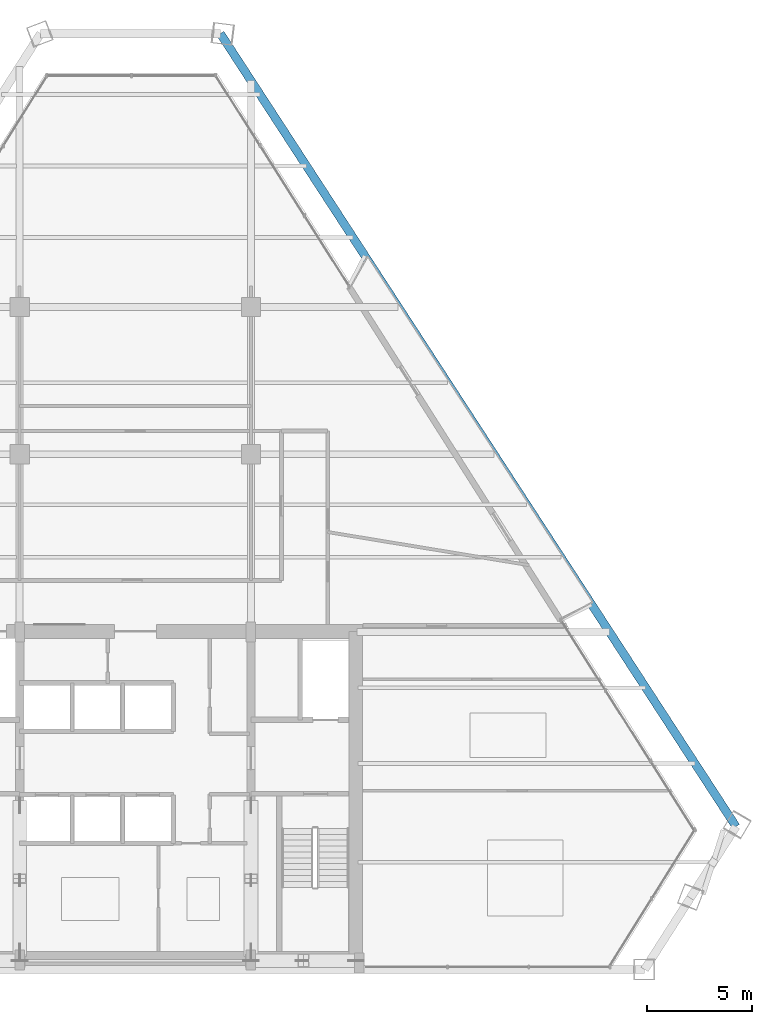
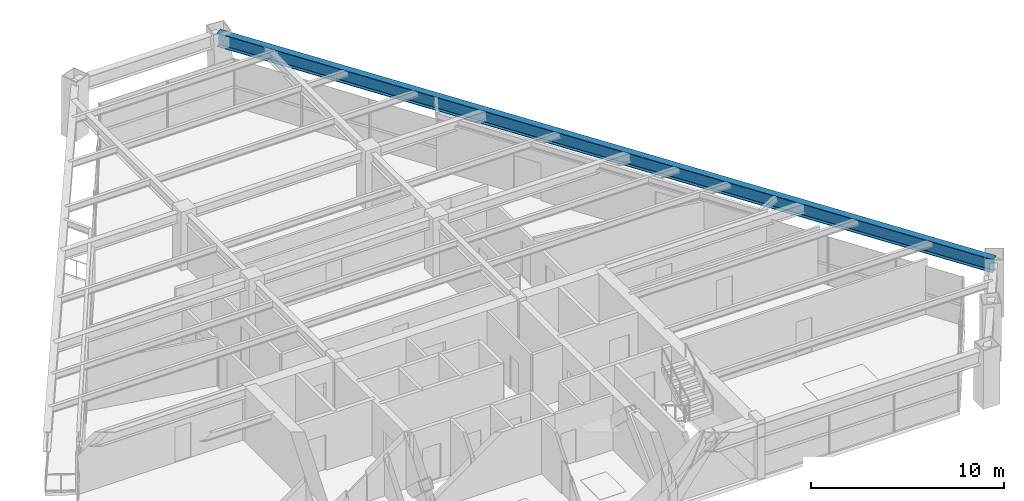
# One storey, part 7 of 15: 1 beam.
"""IFC4 building model written with IfcOpenShell, lengths in metres."""

from ifc_helpers import new_model, si_unit, direction, frame, origin, origin_2d, place, context, subcontext, project, spatial, i_section, extrude, source, transform, mapped, material, material_profile, profile_set, type_object, element, save


model = new_model("IFC4")

# Units and contexts
model_context = context("Model", 3, precision=1e-05, world=origin(), true_north=direction((0.0, 1.0)))
body_context = subcontext(model_context, "Body", "Model", "MODEL_VIEW")
ifc_project = project(units=[si_unit("LENGTHUNIT", "METRE"), si_unit("AREAUNIT", "SQUARE_METRE"), si_unit("VOLUMEUNIT", "CUBIC_METRE"), si_unit("PLANEANGLEUNIT", "RADIAN"), si_unit("MASSUNIT", "GRAM", prefix="KILO")], contexts=[model_context])

# Site, building, storey
site_placement = place(None, origin())
site = spatial("IfcSite", under=ifc_project, at=site_placement, CompositionType="ELEMENT")
building_placement = place(site_placement, origin())
building = spatial("IfcBuilding", under=site, at=building_placement, Name="Varnakhor Terracotta Tower", CompositionType="ELEMENT")
storey_placement = place(building_placement, frame((0.0, 0.0, 178.39990234375)))
storey = spatial("IfcBuildingStorey", under=building, at=storey_placement, Name="L45", CompositionType="ELEMENT", Elevation=178.39990234375)

# Beam
ifc_material = material(Name="Steel S355", Category="steel")
ifc_material_profile = material_profile(ifc_material, i_section(OverallWidth=0.39990234375, OverallDepth=0.85498046875, WebThickness=0.01806640625, FlangeThickness=0.029052734375, FilletRadius=0.01806640625, at=origin_2d()), Name="W33X201")
ifc_profile_set = profile_set([ifc_material_profile], Name="Steel S355")
beam_type = type_object("IfcBeamType", Name="BM-W33X201", PredefinedType="BEAM", material=ifc_profile_set)
shared_shape = source(origin(), body_context, "Body", "SweptSolid", [
    extrude(i_section(OverallWidth=0.39990234375, OverallDepth=0.85498046875, WebThickness=0.01806640625, FlangeThickness=0.029052734375, FilletRadius=0.01806640625, at=origin_2d()), origin(), (0.0, 0.0, 1.0), 44.979248046875),
])
beam_placement = place(storey_placement, frame((28.565185546875, 6.794677734375, 3.04248046875), z_axis=(-0.545112736616, 0.838362752261, 0.0), x_axis=(-0.838362752261, -0.545112736616, 0.0)))
element("IfcBeam", 1, at=beam_placement, inside=storey, type_object=beam_type, Name="L45 Perimeter Spandrel 4", PredefinedType="BEAM", context=body_context, shape_type="MappedRepresentation", body=[
    mapped(shared_shape, transform((0.0, 0.0, 0.0), scale=1.0)),
])

save(model, "model.ifc")
